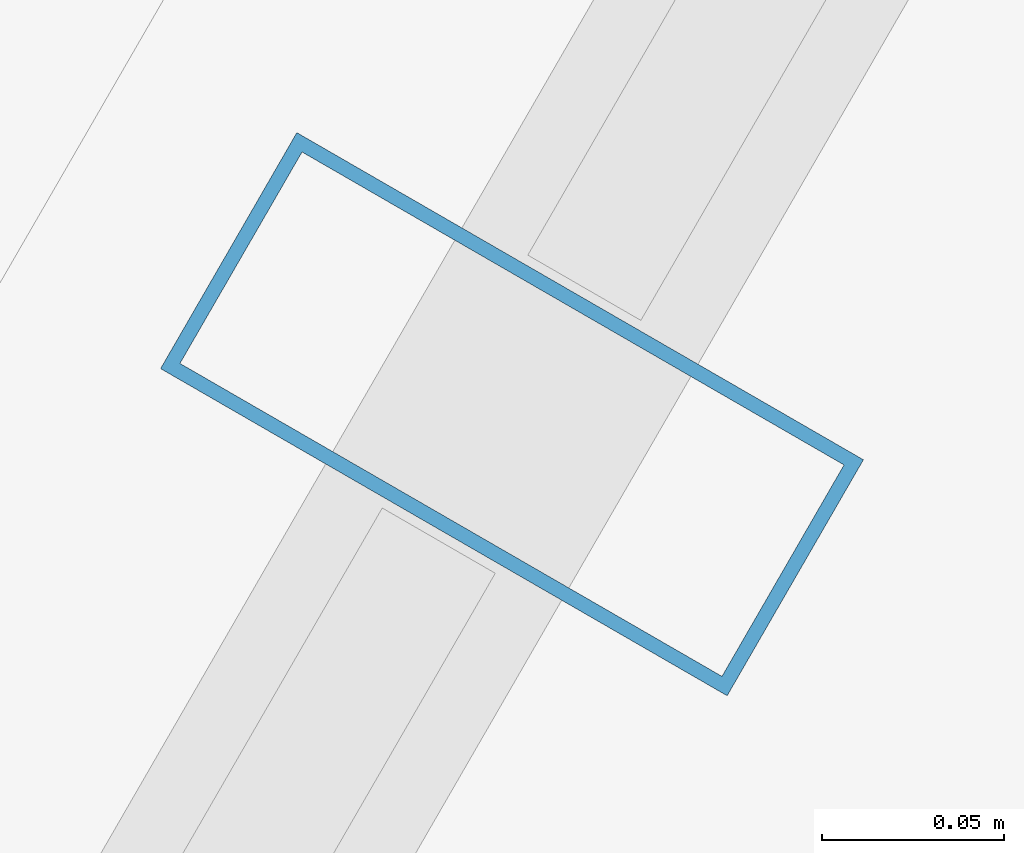
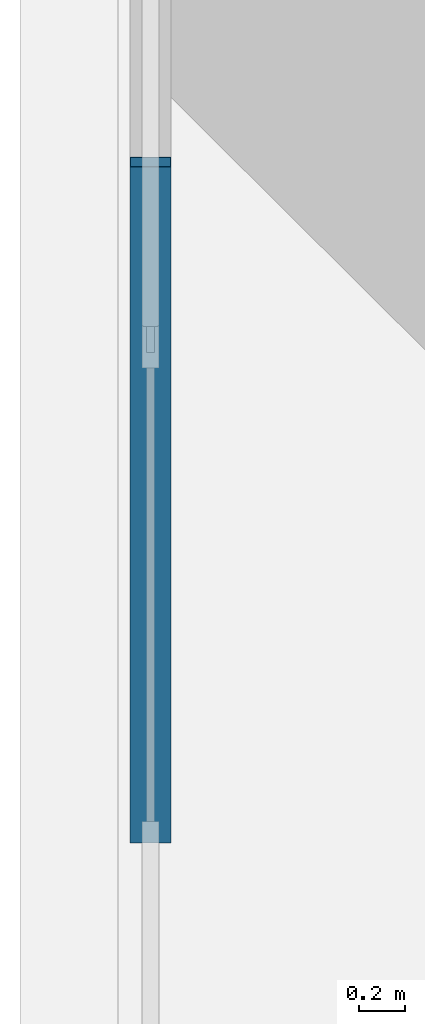
# One storey, part 16 of 34: 1 member, 1 element without a shape of its own.
"""IFC4 building model written with IfcOpenShell, lengths in metres."""

from ifc_helpers import new_model, si_unit, direction, frame, origin, origin_2d, place, context, subcontext, project, spatial, hollow_rectangle, extrude, material, layer, layer_set, material_profile, profile_set, type_object, element, aggregate, save


model = new_model("IFC4")

# Units and contexts
model_context = context("Model", 3, precision=1e-05, world=origin(), true_north=direction((0.0, 1.0)))
body_context = subcontext(model_context, "Body", "Model", "MODEL_VIEW")
ifc_project = project(units=[si_unit("LENGTHUNIT", "METRE"), si_unit("AREAUNIT", "SQUARE_METRE"), si_unit("VOLUMEUNIT", "CUBIC_METRE"), si_unit("PLANEANGLEUNIT", "RADIAN"), si_unit("MASSUNIT", "GRAM", prefix="KILO")], contexts=[model_context])

# Site, building, storey
site_placement = place(None, origin())
site = spatial("IfcSite", under=ifc_project, at=site_placement, CompositionType="ELEMENT")
building_placement = place(site_placement, origin())
building = spatial("IfcBuilding", under=site, at=building_placement, Name="Ndaravel Arena Tower", CompositionType="ELEMENT")
storey_placement = place(building_placement, frame((0.0, 0.0, 263.60009765625)))
storey = spatial("IfcBuildingStorey", under=building, at=storey_placement, Name="L64", CompositionType="ELEMENT", Elevation=263.60009765625)

# Curtain wall, member
ifc_material_1 = material(Name="Aluminium", Category="aluminium")
ifc_layer = layer(ifc_material_1, 0.179931640625)
ifc_layer_set = layer_set([ifc_layer], Name="Aluminium")
curtain_wall_type = type_object("IfcCurtainWallType", Name="CW-SYS-03", PredefinedType="NOTDEFINED", material=ifc_layer_set)
curtain_wall_placement = place(storey_placement, origin())
curtain_wall = element("IfcCurtainWall", 1, at=curtain_wall_placement, inside=storey, type_object=curtain_wall_type, Name="L64 Faceted Crystal Curtain Wall CW-L64-E05", PredefinedType="NOTDEFINED")
ifc_material_2 = material(Name="Aluminium", Category="aluminium")
ifc_material_profile = material_profile(ifc_material_2, hollow_rectangle(XDim=0.074951171875, YDim=0.179931640625, WallThickness=0.00390625, at=origin_2d()), Name="CW MULLION 75x180x4")
ifc_profile_set = profile_set([ifc_material_profile], Name="Aluminium")
member_type = type_object("IfcMemberType", Name="MEM-CW-MUL180", PredefinedType="MULLION", material=ifc_profile_set)
member_placement = place(storey_placement, frame((34.847412109375, 36.698486328125, 0.0), z_axis=(0.0, 0.0, 1.0), x_axis=(-0.5, -0.866025403784, 0.0)))
member = element("IfcMember", 2, at=member_placement, type_object=member_type, Name="CW-L64-E05 Mullion 02", PredefinedType="MULLION", context=body_context, shape_type="SweptSolid", body=[
    extrude(hollow_rectangle(XDim=0.074951171875, YDim=0.179931640625, WallThickness=0.00390625, at=origin_2d()), origin(), (0.0, 0.0, 1.0), 3.579833984375),
])
aggregate(curtain_wall, [member])

save(model, "model.ifc")
